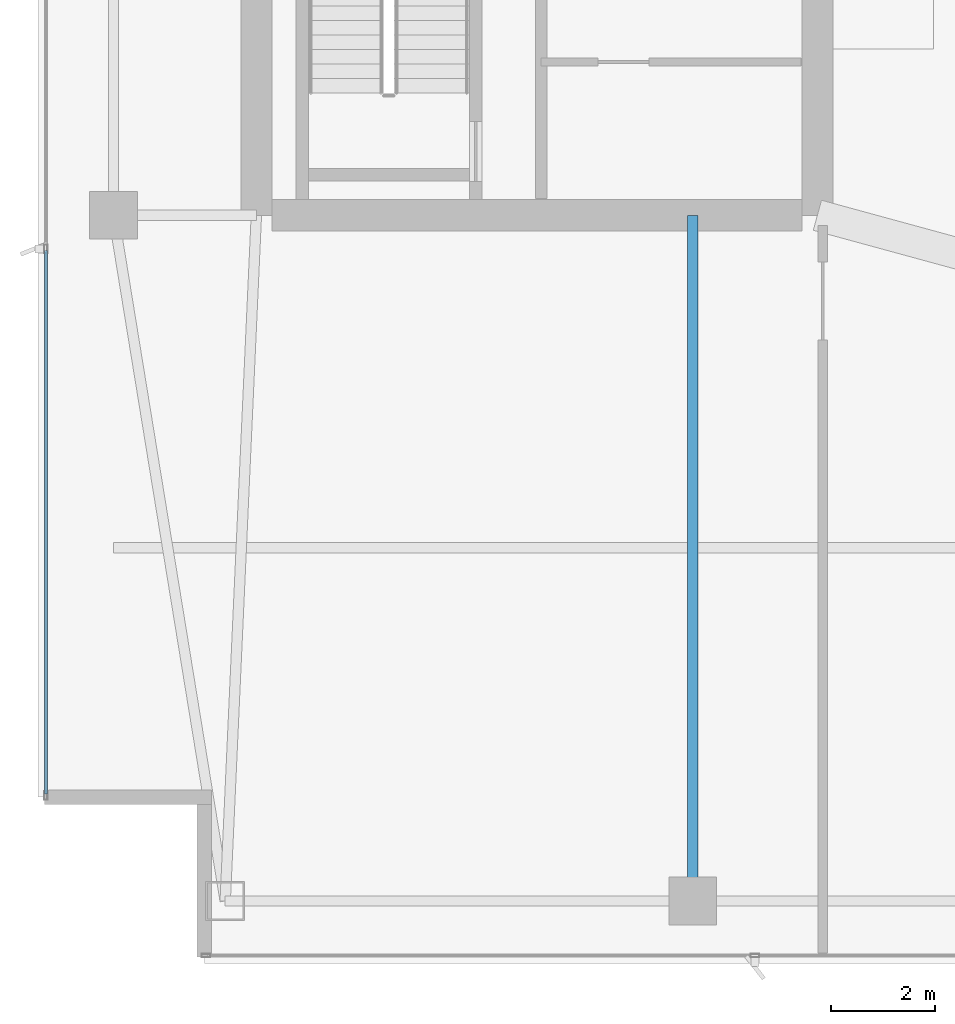
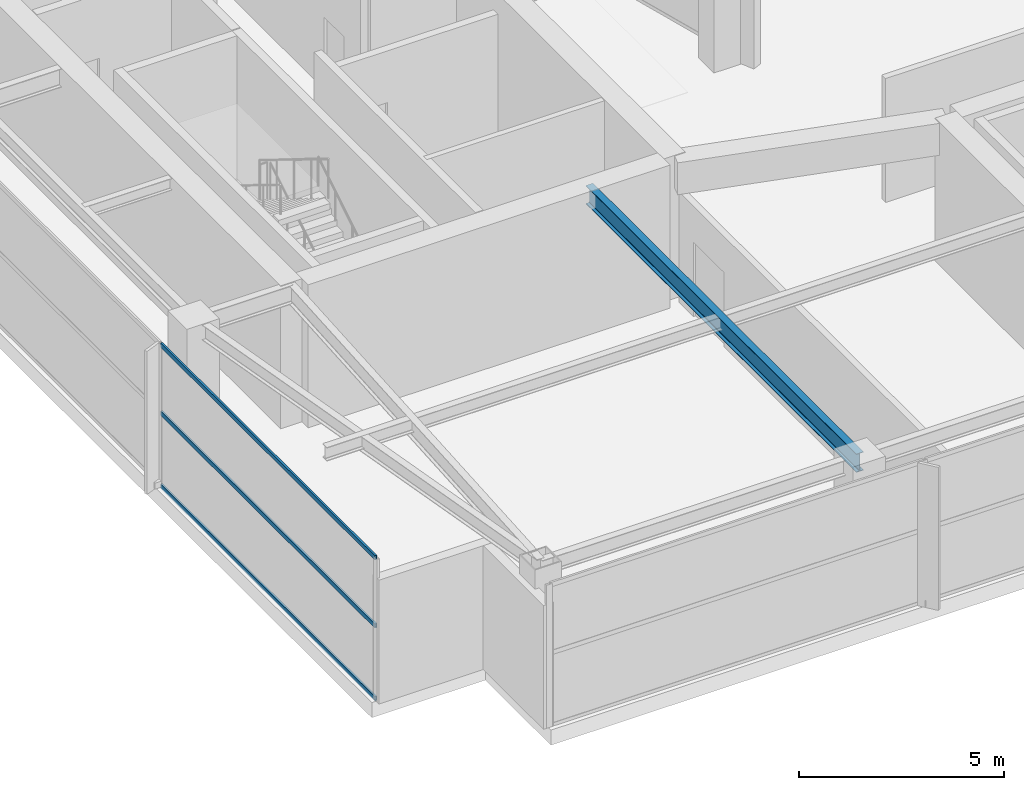
# One storey, part 4 of 25: 3 members, 1 beam, 1 element without a shape of its own.
"""IFC4 building model written with IfcOpenShell, lengths in metres."""

from ifc_helpers import new_model, si_unit, direction, frame, origin, origin_2d, place, context, subcontext, project, spatial, hollow_rectangle, i_section, extrude, material, layer, layer_set, material_profile, profile_set, type_object, element, aggregate, save


model = new_model("IFC4")

# Units and contexts
model_context = context("Model", 3, precision=1e-05, world=origin(), true_north=direction((0.0, 1.0)))
body_context = subcontext(model_context, "Body", "Model", "MODEL_VIEW")
ifc_project = project(units=[si_unit("LENGTHUNIT", "METRE"), si_unit("AREAUNIT", "SQUARE_METRE"), si_unit("VOLUMEUNIT", "CUBIC_METRE"), si_unit("PLANEANGLEUNIT", "RADIAN"), si_unit("MASSUNIT", "GRAM", prefix="KILO")], contexts=[model_context])

# Site, building, storey
site_placement = place(None, origin())
site = spatial("IfcSite", under=ifc_project, at=site_placement, CompositionType="ELEMENT")
building_placement = place(site_placement, origin())
building = spatial("IfcBuilding", under=site, at=building_placement, Name="Calvorn Quay Hotel", CompositionType="ELEMENT")
storey_placement = place(building_placement, frame((0.0, 0.0, 307.0)))
storey = spatial("IfcBuildingStorey", under=building, at=storey_placement, Name="L76", CompositionType="ELEMENT", Elevation=307.0)

# Beam
ifc_material_1 = material(Name="Steel Q355B", Category="steel")
ifc_material_profile_1 = material_profile(ifc_material_1, i_section(OverallWidth=0.199951171875, OverallDepth=0.550048828125, WebThickness=0.010009765625, FlangeThickness=0.01611328125, FilletRadius=0.01806640625, at=origin_2d()), Name="HN550x200x10x16")
ifc_profile_set_1 = profile_set([ifc_material_profile_1], Name="Steel Q355B")
beam_type = type_object("IfcBeamType", Name="BM-GIRD-UPP", PredefinedType="BEAM", material=ifc_profile_set_1)
beam_placement = place(storey_placement, frame((12.60009765625, 3.60009765625, 3.965087890625), z_axis=(0.0, 1.0, 0.0), x_axis=(-1.0, 0.0, 0.0)))
element("IfcBeam", 1, at=beam_placement, inside=storey, type_object=beam_type, Name="Beam BG-L76-S1", PredefinedType="BEAM", context=body_context, shape_type="SweptSolid", body=[
    extrude(i_section(OverallWidth=0.199951171875, OverallDepth=0.550048828125, WebThickness=0.010009765625, FlangeThickness=0.01611328125, FilletRadius=0.01806640625, at=origin_2d()), origin(), (0.0, 0.0, 1.0), 13.199951171875),
])

# Curtain wall, members
ifc_material_2 = material(Name="Champagne Bronze Anodised Aluminium and Low-E Glass", Category="aluminium")
ifc_layer = layer(ifc_material_2, 0.219970703125)
ifc_layer_set = layer_set([ifc_layer], Name="CW-SYS-Z4")
curtain_wall_type = type_object("IfcCurtainWallType", Name="CW-SYS-Z4", PredefinedType="NOTDEFINED", material=ifc_layer_set)
curtain_wall_placement = place(storey_placement, origin())
curtain_wall = element("IfcCurtainWall", 2, at=curtain_wall_placement, inside=storey, type_object=curtain_wall_type, Name="Tower West Curtain Wall (L76)", PredefinedType="NOTDEFINED")
ifc_material_3 = material(Name="Champagne Bronze Anodised Aluminium 6063-T6", Category="aluminium")
ifc_material_profile_2 = material_profile(ifc_material_3, hollow_rectangle(XDim=0.054931640625, YDim=0.1298828125, WallThickness=0.003173828125, at=origin_2d()), Name="ALU-T130x55x3.2")
ifc_profile_set_2 = profile_set([ifc_material_profile_2], Name="Champagne Bronze Anodised Aluminium 6063-T6")
member_type = type_object("IfcMemberType", Name="CW-SYS-Z4-TRN", PredefinedType="USERDEFINED", material=ifc_profile_set_2)
member_1_placement = place(storey_placement, frame((0.14990234375, 5.659912109375, 0.030029296875), z_axis=(0.0, 1.0, 0.0), x_axis=(-1.0, 0.0, 0.0)))
member_1 = element("IfcMember", 3, at=member_1_placement, type_object=member_type, Name="CW-L76-W transom 1.1", ObjectType="TRANSOM", PredefinedType="USERDEFINED", context=body_context, shape_type="SweptSolid", body=[
    extrude(hollow_rectangle(XDim=0.054931640625, YDim=0.1298828125, WallThickness=0.003173828125, at=origin_2d()), origin(), (0.0, 0.0, 1.0), 10.460205078125),
])
member_2_placement = place(storey_placement, frame((0.14990234375, 5.659912109375, 2.199951171875), z_axis=(0.0, 1.0, 0.0), x_axis=(-1.0, 0.0, 0.0)))
member_2 = element("IfcMember", 4, at=member_2_placement, type_object=member_type, Name="CW-L76-W transom 1.2", ObjectType="TRANSOM", PredefinedType="USERDEFINED", context=body_context, shape_type="SweptSolid", body=[
    extrude(hollow_rectangle(XDim=0.054931640625, YDim=0.1298828125, WallThickness=0.003173828125, at=origin_2d()), origin(), (0.0, 0.0, 1.0), 10.460205078125),
])
member_3_placement = place(storey_placement, frame((0.14990234375, 5.659912109375, 4.22998046875), z_axis=(0.0, 1.0, 0.0), x_axis=(-1.0, 0.0, 0.0)))
member_3 = element("IfcMember", 5, at=member_3_placement, type_object=member_type, Name="CW-L76-W transom 1.3", ObjectType="TRANSOM", PredefinedType="USERDEFINED", context=body_context, shape_type="SweptSolid", body=[
    extrude(hollow_rectangle(XDim=0.054931640625, YDim=0.1298828125, WallThickness=0.003173828125, at=origin_2d()), origin(), (0.0, 0.0, 1.0), 10.460205078125),
])
aggregate(curtain_wall, [member_1, member_2, member_3])

save(model, "model.ifc")
